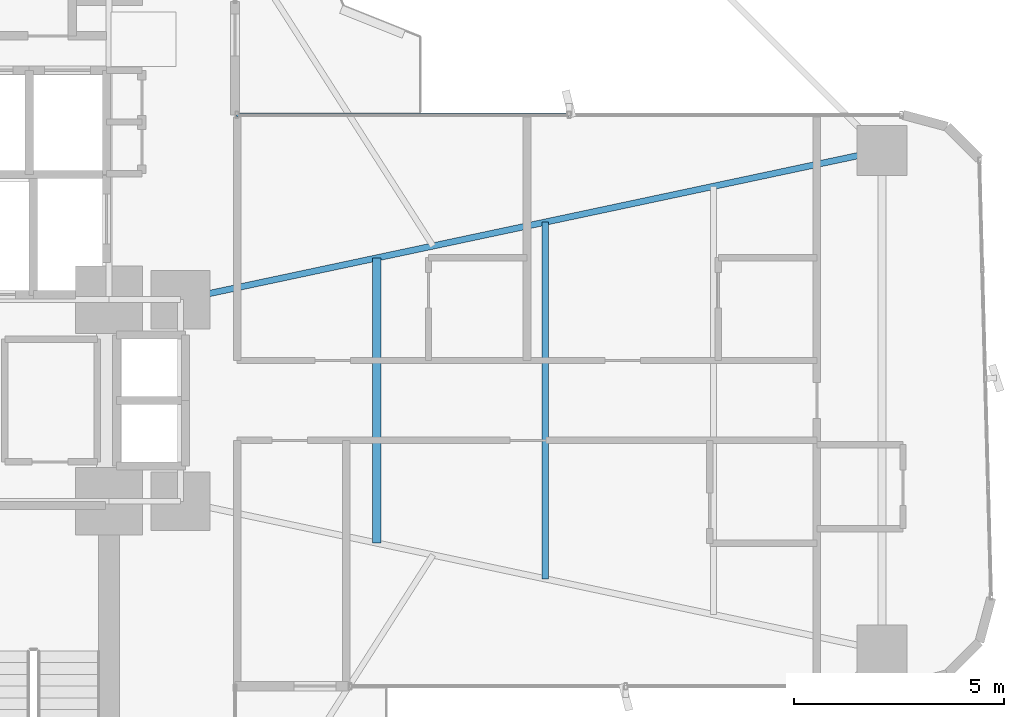
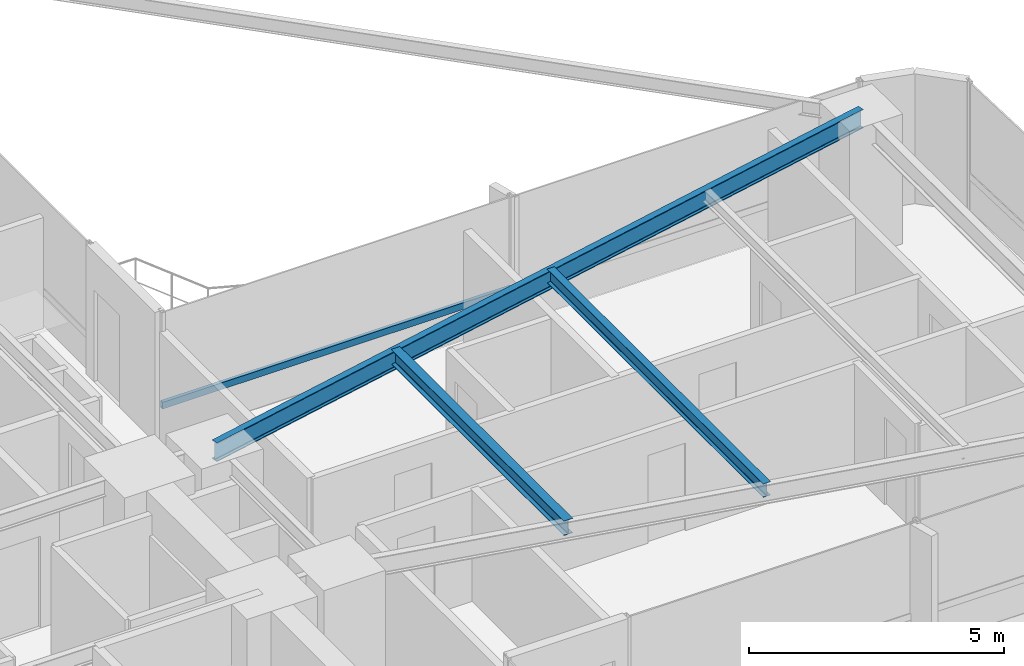
# One storey, part 15 of 25: 3 beams, 1 member, 1 element without a shape of its own.
"""IFC4 building model written with IfcOpenShell, lengths in metres."""

import ifcopenshell
import ifcopenshell.guid

model = None  # the IFC model being written
_history = None  # IfcOwnerHistory: only IFC2X3 demands one
_inside = {}  # id of a spatial element -> (the spatial element, [elements in it])
_under = {}  # id of a project, library or spatial element -> (it, [spatial elements below it])
_declared = {}  # id of a project -> (the project, [libraries it declares])
_typed = {}  # id of a type object -> (the type object, [elements of that type])
_made_of = {}  # id of a material, layer set ... -> (it, [elements and type objects made of it])


def new_model(schema):
    """Start an empty IFC model of exactly this schema.

    Asked for "IFC4X3", IfcOpenShell would pick the latest addendum, in which some entities
    have other attributes; the version numbers below select the first issue.
    IFC2X3 requires an IfcOwnerHistory on every rooted entity: one is made here for all.
    """
    global model, _history
    if schema == "IFC4X3":
        model = ifcopenshell.file(schema_version=(4, 3, 0, 0))
    else:
        model = ifcopenshell.file(schema=schema)
    _inside.clear()
    _under.clear()
    _declared.clear()
    _typed.clear()
    _made_of.clear()
    _history = None
    if model.schema == "IFC2X3":
        org = make("IfcOrganization", Name="unknown")
        user = make(
            "IfcPersonAndOrganization",
            ThePerson=make("IfcPerson", FamilyName="unknown"),
            TheOrganization=org,
        )
        app = make(
            "IfcApplication",
            ApplicationDeveloper=org,
            Version="unknown",
            ApplicationFullName="unknown",
            ApplicationIdentifier="unknown",
        )
        _history = make(
            "IfcOwnerHistory",
            OwningUser=user,
            OwningApplication=app,
            ChangeAction="ADDED",
            CreationDate=0,
        )
    return model


def make(cls, **values):
    """One entity of the class cls with the attributes given. An attribute that is None is left unset."""
    return model.create_entity(
        cls, **{name: value for name, value in values.items() if value is not None}
    )


def rooted(cls, **values):
    """An entity with a GlobalId (a new one), such as an element, a storey or a relation."""
    return make(cls, GlobalId=ifcopenshell.guid.new(), OwnerHistory=_history, **values)


def si_unit(unit_type, name, prefix=None):
    """IfcSIUnit, for example si_unit("LENGTHUNIT", "METRE", prefix="MILLI")."""
    return make("IfcSIUnit", UnitType=unit_type, Prefix=prefix, Name=name)


def assignment(units):
    """IfcUnitAssignment: the units of a project."""
    return None if units is None else make("IfcUnitAssignment", Units=units)


def point(xyz):
    """IfcCartesianPoint."""
    return None if xyz is None else make("IfcCartesianPoint", Coordinates=xyz)


def direction(xyz):
    """IfcDirection."""
    return None if xyz is None else make("IfcDirection", DirectionRatios=xyz)


def frame(location, z_axis=None, x_axis=None):
    """IfcAxis2Placement3D, a coordinate frame: its origin and axes. An axis left out is left unset."""
    return make(
        "IfcAxis2Placement3D",
        Location=point(location),
        Axis=direction(z_axis),
        RefDirection=direction(x_axis),
    )


def frame_2d(location, x_axis=None):
    """IfcAxis2Placement2D, a coordinate frame in the plane: its origin and x axis."""
    return make(
        "IfcAxis2Placement2D", Location=point(location), RefDirection=direction(x_axis)
    )


def origin():
    """The frame at (0, 0, 0) with its axes left unset."""
    return frame((0.0, 0.0, 0.0))


def origin_2d():
    """The frame at (0, 0) in the plane with its x axis left unset."""
    return frame_2d((0.0, 0.0))


def place(relative_to, where):
    """IfcLocalPlacement: puts the frame where relative to a parent placement (None: the world)."""
    return make(
        "IfcLocalPlacement", PlacementRelTo=relative_to, RelativePlacement=where
    )


def context(
    kind, dimensions, precision=None, world=None, true_north=None, identifier=None
):
    """IfcGeometricRepresentationContext, for example the 3D "Model" context."""
    return make(
        "IfcGeometricRepresentationContext",
        ContextIdentifier=identifier,
        ContextType=kind,
        CoordinateSpaceDimension=dimensions,
        Precision=precision,
        WorldCoordinateSystem=world,
        TrueNorth=true_north,
    )


def subcontext(parent, identifier, kind, view, scale=None):
    """IfcGeometricRepresentationSubContext, for example "Body" below "Model"."""
    return make(
        "IfcGeometricRepresentationSubContext",
        ContextIdentifier=identifier,
        ContextType=kind,
        ParentContext=parent,
        TargetScale=scale,
        TargetView=view,
    )


def project(units=None, contexts=None):
    """IfcProject with its units and contexts."""
    return rooted(
        "IfcProject",
        Name="project",
        RepresentationContexts=contexts,
        UnitsInContext=assignment(units),
    )


def spatial(cls, under=None, at=None, **own):
    """A site, building, storey or space (cls), placed at a placement, below another one or the project."""
    s = rooted(cls, ObjectPlacement=at, **own)
    if under is not None:
        _under.setdefault(under.id(), (under, []))[1].append(s)
    return s


def profile(cls, at=None, kind="AREA", **sizes):
    """A parametric profile (cls). Its sizes go by their IFC names, for example OverallWidth=200.0."""
    return make(cls, ProfileType=kind, Position=at, **sizes)


def hollow_rectangle(**sizes):
    """IfcRectangleHollowProfileDef."""
    return profile("IfcRectangleHollowProfileDef", **sizes)


def i_section(**sizes):
    """IfcIShapeProfileDef."""
    return profile("IfcIShapeProfileDef", **sizes)


def extrude(swept, where, along, depth):
    """IfcExtrudedAreaSolid: the profile swept, set in the frame where, extruded along a direction by depth."""
    return make(
        "IfcExtrudedAreaSolid",
        SweptArea=swept,
        Position=where,
        ExtrudedDirection=direction(along),
        Depth=depth,
    )


def shape(context_of_items, identifier, shape_type, items):
    """IfcShapeRepresentation: the items that make up one representation, for example the "Body"."""
    return make(
        "IfcShapeRepresentation",
        ContextOfItems=context_of_items,
        RepresentationIdentifier=identifier,
        RepresentationType=shape_type,
        Items=items,
    )


def source(mapping_origin, context_of_items, identifier, shape_type, items):
    """IfcRepresentationMap: a shape defined once, which mapped items show again and again."""
    return make(
        "IfcRepresentationMap",
        MappingOrigin=mapping_origin,
        MappedRepresentation=shape(context_of_items, identifier, shape_type, items),
    )


def transform(
    local_origin,
    x_axis=None,
    y_axis=None,
    z_axis=None,
    scale=None,
    scale2=None,
    scale3=None,
    uniform=True,
):
    """IfcCartesianTransformationOperator3D, or its non-uniform kind. x_axis, y_axis, z_axis: its Axis1, 2, 3."""
    if uniform:
        return make(
            "IfcCartesianTransformationOperator3D",
            Axis1=direction(x_axis),
            Axis2=direction(y_axis),
            LocalOrigin=point(local_origin),
            Scale=scale,
            Axis3=direction(z_axis),
        )
    return make(
        "IfcCartesianTransformationOperator3DnonUniform",
        Axis1=direction(x_axis),
        Axis2=direction(y_axis),
        LocalOrigin=point(local_origin),
        Scale=scale,
        Axis3=direction(z_axis),
        Scale2=scale2,
        Scale3=scale3,
    )


def mapped(mapping_source, mapping_target):
    """IfcMappedItem: shows the shape of a source again, moved by a transform."""
    return make(
        "IfcMappedItem", MappingSource=mapping_source, MappingTarget=mapping_target
    )


def material(Name=None, Category=None):
    """IfcMaterial."""
    return make("IfcMaterial", Name=Name, Category=Category)


def material_profile(
    of_material, cross_section, Name=None, Category=None, Priority=None
):
    """IfcMaterialProfile: a cross section and its material."""
    return make(
        "IfcMaterialProfile",
        Name=Name,
        Material=of_material,
        Profile=cross_section,
        Priority=Priority,
        Category=Category,
    )


def profile_set(profiles, Name=None, composite=None):
    """IfcMaterialProfileSet."""
    return make(
        "IfcMaterialProfileSet",
        Name=Name,
        MaterialProfiles=profiles,
        CompositeProfile=composite,
    )


def made_of(thing, what):
    """Note that an element or type object is made of a material, layer set ...; save() writes the relation."""
    if what is not None:
        _made_of.setdefault(what.id(), (what, []))[1].append(thing)
    return thing


def type_object(cls, material=None, **own):
    """A type object (cls), such as IfcWallType, which elements share."""
    return made_of(rooted(cls, **own), material)


def element(
    cls,
    number,
    at=None,
    inside=None,
    cuts=None,
    type_object=None,
    material=None,
    context=None,
    identifier="Body",
    shape_type=None,
    held_by="IfcProductDefinitionShape",
    body=None,
    shapes=None,
    **own,
):
    """One element of the class cls, such as IfcWall. Its Tag is "e" and its number.

    at: its placement. inside: the storey or other place that contains it. cuts: it is an
    opening in that element (IfcRelVoidsElement). A single representation is given by context,
    identifier, shape_type and body (its items); several are given by shapes. held_by: the class
    of the entity that holds the representations. save() writes the other relations.
    """
    e = rooted(cls, Tag="e%d" % number, ObjectPlacement=at, **own)
    if body is not None:
        shapes = [shape(context, identifier, shape_type, body)]
    if shapes is not None:
        e.Representation = make(held_by, Representations=shapes)
    if inside is not None:
        _inside.setdefault(inside.id(), (inside, []))[1].append(e)
    if cuts is not None:
        rooted(
            "IfcRelVoidsElement", RelatingBuildingElement=cuts, RelatedOpeningElement=e
        )
    if type_object is not None:
        _typed.setdefault(type_object.id(), (type_object, []))[1].append(e)
    return made_of(e, material)


def aggregate(whole, parts):
    """IfcRelAggregates: a whole, such as a stair, and the parts it consists of."""
    return rooted("IfcRelAggregates", RelatingObject=whole, RelatedObjects=parts)


def save(model, path):
    """Write the relations noted so far, then the file.

    IfcRelAggregates (storeys below a building ...), IfcRelContainedInSpatialStructure (elements
    in a storey), IfcRelDefinesByType, IfcRelAssociatesMaterial and IfcRelDeclares: one each for
    every whole, place, type object, material and project.
    """
    for whole, parts in _under.values():
        aggregate(whole, parts)
    for where, things in _inside.values():
        rooted(
            "IfcRelContainedInSpatialStructure",
            RelatedElements=things,
            RelatingStructure=where,
        )
    for kind, things in _typed.values():
        rooted("IfcRelDefinesByType", RelatedObjects=things, RelatingType=kind)
    for what, things in _made_of.values():
        rooted("IfcRelAssociatesMaterial", RelatedObjects=things, RelatingMaterial=what)
    for by, libraries in _declared.values():
        rooted("IfcRelDeclares", RelatingContext=by, RelatedDefinitions=libraries)
    model.write(path)


model = new_model("IFC4")

# Units and contexts
model_context = context("Model", 3, precision=1e-05, world=origin(), true_north=direction((0.0, 1.0)))
body_context = subcontext(model_context, "Body", "Model", "MODEL_VIEW")
ifc_project = project(units=[si_unit("LENGTHUNIT", "METRE"), si_unit("AREAUNIT", "SQUARE_METRE"), si_unit("VOLUMEUNIT", "CUBIC_METRE"), si_unit("PLANEANGLEUNIT", "RADIAN"), si_unit("MASSUNIT", "GRAM", prefix="KILO")], contexts=[model_context])

# Site, building, storey
site_placement = place(None, origin())
site = spatial("IfcSite", under=ifc_project, at=site_placement, CompositionType="ELEMENT")
building_placement = place(site_placement, origin())
building = spatial("IfcBuilding", under=site, at=building_placement, Name="Sahyath Konkavel Grand Hotel", CompositionType="ELEMENT")
storey_placement = place(building_placement, frame((0.0, 0.0, 57.75)))
storey = spatial("IfcBuildingStorey", under=building, at=storey_placement, Name="L15", CompositionType="ELEMENT", Elevation=57.75)

# Beams
ifc_material_1 = material(Name="Steel E350", Category="steel")
ifc_material_profile_1 = material_profile(ifc_material_1, i_section(OverallWidth=0.14990234375, OverallDepth=0.449951171875, WebThickness=0.009521484375, FlangeThickness=0.017333984375, FilletRadius=0.014892578125, at=origin_2d()), Name="ISMB 450")
ifc_profile_set_1 = profile_set([ifc_material_profile_1], Name="Steel E350")
beam_type_1 = type_object("IfcBeamType", Name="BM-ISMB450", PredefinedType="BEAM", material=ifc_profile_set_1)
shared_shape_1 = source(origin(), body_context, "Body", "SweptSolid", [
    extrude(i_section(OverallWidth=0.14990234375, OverallDepth=0.449951171875, WebThickness=0.009521484375, FlangeThickness=0.017333984375, FilletRadius=0.014892578125, at=origin_2d()), origin(), (0.0, 0.0, 1.0), 17.072998046875),
])
beam_1_placement = place(storey_placement, frame((5.5, 2.39990234375, 2.885009765625), z_axis=(0.978143257225, 0.20793212437, 0.0), x_axis=(-0.20793212437, 0.978143257225, 0.0)))
element("IfcBeam", 1, at=beam_1_placement, inside=storey, type_object=beam_type_1, Name="L15 Cruciform Radial Girder EB", PredefinedType="BEAM", context=body_context, shape_type="MappedRepresentation", body=[
    mapped(shared_shape_1, transform((0.0, 0.0, 0.0), scale=1.0)),
])
ifc_material_profile_2 = material_profile(ifc_material_1, i_section(OverallWidth=0.199951171875, OverallDepth=0.35009765625, WebThickness=0.008056640625, FlangeThickness=0.011474609375, FilletRadius=0.013916015625, at=origin_2d()), Name="ISWB 350")
ifc_profile_set_2 = profile_set([ifc_material_profile_2], Name="Steel E350")
beam_type_2 = type_object("IfcBeamType", Name="BM-ISWB350", PredefinedType="BEAM", material=ifc_profile_set_2)
shared_shape_2 = source(origin(), body_context, "Body", "SweptSolid", [
    extrude(i_section(OverallWidth=0.199951171875, OverallDepth=0.35009765625, WebThickness=0.008056640625, FlangeThickness=0.011474609375, FilletRadius=0.013916015625, at=origin_2d()), origin(), (0.0, 0.0, 1.0), 6.7880859375),
])
beam_2_placement = place(storey_placement, frame((10.176025390625, -3.39404296875, 2.93505859375), z_axis=(0.0, 1.0, 0.0), x_axis=(-1.0, 0.0, 0.0)))
element("IfcBeam", 2, at=beam_2_placement, inside=storey, type_object=beam_type_2, Name="L15 Secondary Floor Beam E-1", PredefinedType="BEAM", context=body_context, shape_type="MappedRepresentation", body=[
    mapped(shared_shape_2, transform((0.0, 0.0, 0.0), scale=1.0)),
])
ifc_material_profile_3 = material_profile(ifc_material_1, i_section(OverallWidth=0.1650390625, OverallDepth=0.324951171875, WebThickness=0.007080078125, FlangeThickness=0.009765625, FilletRadius=0.014892578125, at=origin_2d()), Name="ISLB 325")
ifc_profile_set_3 = profile_set([ifc_material_profile_3], Name="Steel E350")
beam_type_3 = type_object("IfcBeamType", Name="BM-ISLB325", PredefinedType="BEAM", material=ifc_profile_set_3)
shared_shape_3 = source(origin(), body_context, "Body", "SweptSolid", [
    extrude(i_section(OverallWidth=0.1650390625, OverallDepth=0.324951171875, WebThickness=0.007080078125, FlangeThickness=0.009765625, FilletRadius=0.014892578125, at=origin_2d()), origin(), (0.0, 0.0, 1.0), 8.4921875),
])
beam_3_placement = place(storey_placement, frame((14.18408203125, -4.24609375, 2.947509765625), z_axis=(0.0, 1.0, 0.0), x_axis=(-1.0, 0.0, 0.0)))
element("IfcBeam", 3, at=beam_3_placement, inside=storey, type_object=beam_type_3, Name="L15 Secondary Floor Beam E-2", PredefinedType="BEAM", context=body_context, shape_type="MappedRepresentation", body=[
    mapped(shared_shape_3, transform((0.0, 0.0, 0.0), scale=1.0)),
])

# Curtain wall, member
ifc_material_2 = material(Name="Anodised Bronze Aluminium & Low-E Glazing", Category="aluminium")
curtain_wall_type = type_object("IfcCurtainWallType", Name="CW-ZONE1", PredefinedType="NOTDEFINED", material=ifc_material_2)
curtain_wall_placement = place(storey_placement, origin())
curtain_wall = element("IfcCurtainWall", 4, at=curtain_wall_placement, inside=storey, type_object=curtain_wall_type, Name="L15 Unitised Curtain Wall F7", PredefinedType="NOTDEFINED")
ifc_material_3 = material(Name="Anodised Bronze Aluminium", Category="aluminium")
ifc_material_profile_4 = material_profile(ifc_material_3, hollow_rectangle(XDim=0.080078125, YDim=0.159912109375, WallThickness=0.006103515625, at=origin_2d()), Name="RHS 160x80x6")
ifc_profile_set_4 = profile_set([ifc_material_profile_4], Name="Anodised Bronze Aluminium")
member_type = type_object("IfcMemberType", Name="CW-TRN-160", PredefinedType="USERDEFINED", material=ifc_profile_set_4)
shared_shape_4 = source(origin(), body_context, "Body", "SweptSolid", [
    extrude(hollow_rectangle(XDim=0.080078125, YDim=0.159912109375, WallThickness=0.006103515625, at=origin_2d()), origin(), (0.0, 0.0, 1.0), 7.909912109375),
])
member_placement = place(storey_placement, frame((14.75, 6.800048828125, 0.85009765625), z_axis=(-1.0, 0.0, 0.0), x_axis=(0.0, -1.0, 0.0)))
member = element("IfcMember", 5, at=member_placement, type_object=member_type, Name="L15 Curtain Wall Transom F7-1-spandrel", ObjectType="TRANSOM", PredefinedType="USERDEFINED", context=body_context, shape_type="MappedRepresentation", body=[
    mapped(shared_shape_4, transform((0.0, 0.0, 0.0), scale=1.0)),
])
aggregate(curtain_wall, [member])

save(model, "model.ifc")
